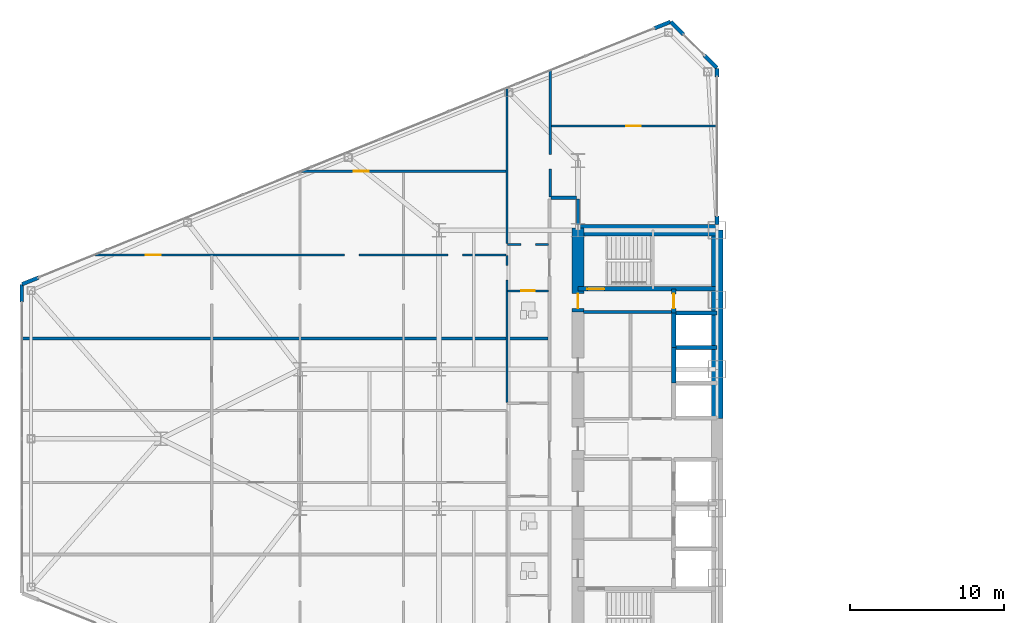
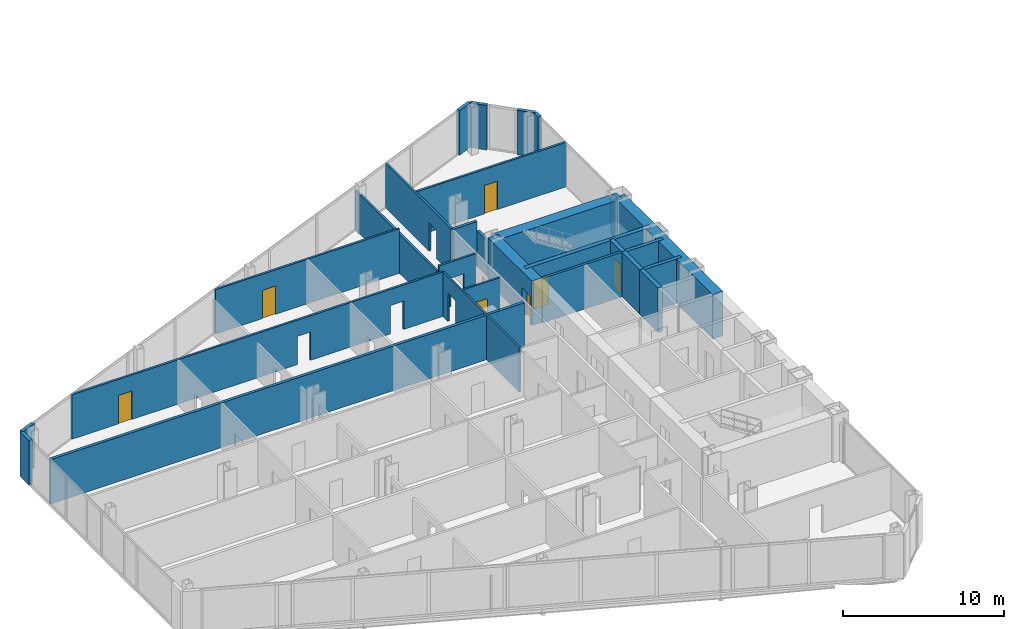
# One storey, part 19 of 25: 28 walls, 7 doors, 12 openings.
"""IFC4 building model written with IfcOpenShell, lengths in metres."""

from ifc_helpers import new_model, si_unit, direction, frame, frame_2d, origin, place, context, subcontext, project, spatial, rectangle, extrude, source, transform, mapped, material, layer, layer_set, type_object, type_shapes, element, fill, save


model = new_model("IFC4")

# Units and contexts
model_context = context("Model", 3, precision=1e-05, world=origin(), true_north=direction((0.0, 1.0)))
body_context = subcontext(model_context, "Body", "Model", "MODEL_VIEW")
ifc_project = project(units=[si_unit("LENGTHUNIT", "METRE"), si_unit("AREAUNIT", "SQUARE_METRE"), si_unit("VOLUMEUNIT", "CUBIC_METRE"), si_unit("PLANEANGLEUNIT", "RADIAN"), si_unit("MASSUNIT", "GRAM", prefix="KILO")], contexts=[model_context])

# Site, building, storey
site_placement = place(None, origin())
site = spatial("IfcSite", under=ifc_project, at=site_placement, CompositionType="ELEMENT")
building_placement = place(site_placement, origin())
building = spatial("IfcBuilding", under=site, at=building_placement, Name="Seokmaru Belvedere", CompositionType="ELEMENT")
storey_placement = place(building_placement, frame((0.0, 0.0, 22.5)))
storey = spatial("IfcBuildingStorey", under=building, at=storey_placement, Name="L05", CompositionType="ELEMENT", Elevation=22.5)

# Wall, openings, door
ifc_material_1 = material(Name="Fire-Rated Gypsum Shaftwall")
ifc_layer_1 = layer(ifc_material_1, 0.14990234375)
ifc_layer_set_1 = layer_set([ifc_layer_1], Name="Fire-Rated Gypsum Shaftwall")
wall_type_1 = type_object("IfcWallType", Name="Apartment Fire-Acoustic Room Partition 150", PredefinedType="PARTITIONING", material=ifc_layer_set_1)
wall_1_placement = place(storey_placement, frame((-67.8330078125, 11.89990234375, 0.0), z_axis=(0.0, 0.0, 1.0), x_axis=(1.0, 0.0, 0.0)))
wall_1 = element("IfcWall", 1, at=wall_1_placement, inside=storey, type_object=wall_type_1, Name="L05 Interior Partition 029", PredefinedType="PARTITIONING", context=body_context, shape_type="SweptSolid", body=[
    extrude(rectangle(XDim=26.68310546875, YDim=0.14990234375, at=frame_2d((13.341552734375, 0.0))), origin(), (0.0, 0.0, 1.0), 3.3798828125),
])
opening_1_placement = place(wall_1_placement, frame((22.907958984375, 0.0, 0.0)))
element("IfcOpeningElement", 2, at=opening_1_placement, cuts=wall_1, Name="L05 Cased Opening 034", PredefinedType="OPENING", context=body_context, shape_type="SweptSolid", body=[
    extrude(rectangle(XDim=0.949951171875, YDim=2.14990234375, at=frame_2d((0.47509765625, 1.074951171875))), frame((0.0, 0.0849609375, 0.0), z_axis=(0.0, -1.0, 0.0), x_axis=(1.0, 0.0, 0.0)), (0.0, 0.0, 1.0), 0.169921875),
])
opening_2_placement = place(wall_1_placement, frame((3.35888671875, 0.0, 0.0)))
opening_2 = element("IfcOpeningElement", 3, at=opening_2_placement, cuts=wall_1, Name="Opening D05", PredefinedType="OPENING", context=body_context, shape_type="SweptSolid", body=[
    extrude(rectangle(XDim=0.949951171875, YDim=2.14990234375, at=frame_2d((0.47509765625, 1.074951171875))), frame((0.0, 0.0849609375, 0.0), z_axis=(0.0, -1.0, 0.0), x_axis=(1.0, 0.0, 0.0)), (0.0, 0.0, 1.0), 0.169921875),
])
opening_3_placement = place(wall_1_placement, frame((16.2080078125, 0.0, 0.0)))
element("IfcOpeningElement", 4, at=opening_3_placement, cuts=wall_1, Name="L05 Cased Opening 038", PredefinedType="OPENING", context=body_context, shape_type="SweptSolid", body=[
    extrude(rectangle(XDim=0.949951171875, YDim=2.14990234375, at=frame_2d((0.47509765625, 1.074951171875))), frame((0.0, 0.0849609375, 0.0), z_axis=(0.0, -1.0, 0.0), x_axis=(1.0, 0.0, 0.0)), (0.0, 0.0, 1.0), 0.169921875),
])
ifc_material_2 = material(Name="Engineered White Oak Timber", Category="wood")
door_type_1 = type_object("IfcDoorType", Name="Apartment Interior Fire-Rated Oak Door 950x2150", OperationType="NOTDEFINED", PredefinedType="DOOR", material=ifc_material_2)
shared_shape_1 = source(origin(), body_context, "Body", "SweptSolid", [
    extrude(rectangle(XDim=0.949951171875, YDim=2.14990234375, at=frame_2d((0.47509765625, 1.074951171875))), frame((0.0, 0.02490234375, 0.0), z_axis=(0.0, -1.0, 0.0), x_axis=(1.0, 0.0, 0.0)), (0.0, 0.0, 1.0), 0.050048828125),
])
type_shapes(door_type_1, [shared_shape_1])
door_1_placement = place(opening_2_placement, origin())
door_1 = element("IfcDoor", 5, at=door_1_placement, inside=storey, type_object=door_type_1, Name="L05 Interior Door 037", OperationType="SINGLE_SWING_LEFT", OverallHeight=2.14990234375, OverallWidth=0.949951171875, PredefinedType="DOOR", context=body_context, shape_type="MappedRepresentation", body=[
    mapped(shared_shape_1, transform((0.0, 0.0, 0.0), scale=1.0)),
])
fill(opening_2, door_1)

# Wall, opening
wall_2_placement = place(storey_placement, frame((-41.050048828125, 12.580078125, 0.0), z_axis=(0.0, 0.0, 1.0), x_axis=(1.0, 0.0, 0.0)))
wall_2 = element("IfcWall", 6, at=wall_2_placement, inside=storey, type_object=wall_type_1, Name="L05 Interior Partition 030", PredefinedType="PARTITIONING", context=body_context, shape_type="SweptSolid", body=[
    extrude(rectangle(XDim=2.650146484375, YDim=0.14990234375, at=frame_2d((1.3251953125, 0.0))), origin(), (0.0, 0.0, 1.0), 3.3798828125),
])
opening_4_placement = place(wall_2_placement, frame((0.85009765625, 0.0, 0.0)))
element("IfcOpeningElement", 7, at=opening_4_placement, cuts=wall_2, Name="L05 Cased Opening 031", PredefinedType="OPENING", context=body_context, shape_type="SweptSolid", body=[
    extrude(rectangle(XDim=0.949951171875, YDim=2.14990234375, at=frame_2d((0.47509765625, 1.074951171875))), frame((0.0, 0.0849609375, 0.0), z_axis=(0.0, -1.0, 0.0), x_axis=(1.0, 0.0, 0.0)), (0.0, 0.0, 1.0), 0.169921875),
])

# Wall, opening, door
wall_3_placement = place(storey_placement, frame((-54.39892578125, 17.31005859375, 0.0), z_axis=(0.0, 0.0, 1.0), x_axis=(1.0, 0.0, 0.0)))
wall_3 = element("IfcWall", 8, at=wall_3_placement, inside=storey, type_object=wall_type_1, Name="L05 Interior Partition 034", PredefinedType="PARTITIONING", context=body_context, shape_type="SweptSolid", body=[
    extrude(rectangle(XDim=13.2490234375, YDim=0.14990234375, at=frame_2d((6.62451171875, 0.0))), origin(), (0.0, 0.0, 1.0), 3.3798828125),
])
opening_5_placement = place(wall_3_placement, frame((3.386962890625, 0.0, 0.0)))
opening_5 = element("IfcOpeningElement", 9, at=opening_5_placement, cuts=wall_3, Name="Opening D05", PredefinedType="OPENING", context=body_context, shape_type="SweptSolid", body=[
    extrude(rectangle(XDim=0.949951171875, YDim=2.14990234375, at=frame_2d((0.47509765625, 1.074951171875))), frame((0.0, 0.0849609375, 0.0), z_axis=(0.0, -1.0, 0.0), x_axis=(1.0, 0.0, 0.0)), (0.0, 0.0, 1.0), 0.169921875),
])
door_2_placement = place(opening_5_placement, origin())
door_2 = element("IfcDoor", 10, at=door_2_placement, inside=storey, type_object=door_type_1, Name="L05 Interior Door 039", OperationType="SINGLE_SWING_LEFT", OverallHeight=2.14990234375, OverallWidth=0.949951171875, PredefinedType="DOOR", context=body_context, shape_type="MappedRepresentation", body=[
    mapped(shared_shape_1, transform((0.0, 0.0, 0.0), scale=1.0)),
])
fill(opening_5, door_2)

wall_4_placement = place(storey_placement, frame((-38.25, 20.25, 0.0), z_axis=(0.0, 0.0, 1.0), x_axis=(1.0, 0.0, 0.0)))
wall_4 = element("IfcWall", 11, at=wall_4_placement, inside=storey, type_object=wall_type_1, Name="L05 Interior Partition 036", PredefinedType="PARTITIONING", context=body_context, shape_type="SweptSolid", body=[
    extrude(rectangle(XDim=10.784912109375, YDim=0.14990234375, at=frame_2d((5.392578125, 0.0))), origin(), (0.0, 0.0, 1.0), 3.3798828125),
])
opening_6_placement = place(wall_4_placement, frame((4.875, 0.0, 0.0)))
opening_6 = element("IfcOpeningElement", 12, at=opening_6_placement, cuts=wall_4, Name="Opening D05", PredefinedType="OPENING", context=body_context, shape_type="SweptSolid", body=[
    extrude(rectangle(XDim=0.949951171875, YDim=2.14990234375, at=frame_2d((0.47509765625, 1.074951171875))), frame((0.0, 0.0849609375, 0.0), z_axis=(0.0, -1.0, 0.0), x_axis=(1.0, 0.0, 0.0)), (0.0, 0.0, 1.0), 0.169921875),
])
door_3_placement = place(opening_6_placement, origin())
door_3 = element("IfcDoor", 13, at=door_3_placement, inside=storey, type_object=door_type_1, Name="L05 Interior Door 041", OperationType="SINGLE_SWING_RIGHT", OverallHeight=2.14990234375, OverallWidth=0.949951171875, PredefinedType="DOOR", context=body_context, shape_type="MappedRepresentation", body=[
    mapped(shared_shape_1, transform((0.0, 0.0, 0.0), scale=1.0)),
])
fill(opening_6, door_3)

# Wall
wall_5_placement = place(storey_placement, frame((-41.10009765625, 12.6279296875, 0.0), z_axis=(0.0, 0.0, 1.0), x_axis=(0.0, 1.0, 0.0)))
element("IfcWall", 14, at=wall_5_placement, inside=storey, type_object=wall_type_1, Name="L05 Interior Partition 044", PredefinedType="PARTITIONING", context=body_context, shape_type="SweptSolid", body=[
    extrude(rectangle(XDim=10.115966796875, YDim=0.14990234375, at=frame_2d((5.05810546875, 0.0))), origin(), (0.0, 0.0, 1.0), 2.989990234375),
])

# Wall, opening
wall_6_placement = place(storey_placement, frame((-38.300048828125, 15.64990234375, 0.0), z_axis=(0.0, 0.0, 1.0), x_axis=(0.0, 1.0, 0.0)))
wall_6 = element("IfcWall", 15, at=wall_6_placement, inside=storey, type_object=wall_type_1, Name="L05 Interior Partition 047", PredefinedType="PARTITIONING", context=body_context, shape_type="SweptSolid", body=[
    extrude(rectangle(XDim=8.22802734375, YDim=0.14990234375, at=frame_2d((4.114013671875, 0.0))), origin(), (0.0, 0.0, 1.0), 3.3798828125),
])
opening_7_placement = place(wall_6_placement, frame((1.800048828125, 0.0, 0.0)))
element("IfcOpeningElement", 16, at=opening_7_placement, cuts=wall_6, Name="L05 Cased Opening 040", PredefinedType="OPENING", context=body_context, shape_type="SweptSolid", body=[
    extrude(rectangle(XDim=0.949951171875, YDim=2.14990234375, at=frame_2d((0.47509765625, 1.074951171875))), frame((0.0, 0.0849609375, 0.0), z_axis=(0.0, -1.0, 0.0), x_axis=(1.0, 0.0, 0.0)), (0.0, 0.0, 1.0), 0.169921875),
])

# Walls
ifc_layer_2 = layer(ifc_material_1, 0.179931640625)
ifc_layer_set_2 = layer_set([ifc_layer_2], Name="Fire-Rated Gypsum Shaftwall")
wall_type_2 = type_object("IfcWallType", Name="Core Service Fire Partition 180", PredefinedType="PARTITIONING", material=ifc_layer_set_2)
wall_7_placement = place(storey_placement, frame((-36.14990234375, 8.199951171875, 0.0), z_axis=(0.0, 0.0, 1.0), x_axis=(1.0, 0.0, 0.0)))
element("IfcWall", 17, at=wall_7_placement, inside=storey, type_object=wall_type_2, Name="L05 West Smokeproof Vestibule Partition", PredefinedType="PARTITIONING", context=body_context, shape_type="SweptSolid", body=[
    extrude(rectangle(XDim=5.699951171875, YDim=0.179931640625, at=frame_2d((2.85009765625, 0.0))), origin(), (0.0, 0.0, 1.0), 3.3798828125),
])
ifc_material_3 = material(Name="Concrete C50 (50 MPa)", Category="concrete")
ifc_layer_3 = layer(ifc_material_3, 0.25)
ifc_layer_set_3 = layer_set([ifc_layer_3], Name="Concrete C50 (50 MPa)")
wall_type_3 = type_object("IfcWallType", Name="Hoistway Transverse Concrete Divider Wall 250", PredefinedType="SHEAR", material=ifc_layer_set_3)
for number, where, z_axis, x_axis, name in (
    (18, (-30.300048828125, 5.89990234375, 0.0), (0.0, 0.0, 1.0), (1.0, 0.0, 0.0), "L05 West Hoistway Divider Core Wall 6"),
    (19, (-30.300048828125, 8.14990234375, 0.0), (0.0, 0.0, 1.0), (1.0, 0.0, 0.0), "L05 West Hoistway Divider Core Wall 7"),
):
    element("IfcWall", number, at=place(storey_placement, frame(where, z_axis=z_axis, x_axis=x_axis)), inside=storey, type_object=wall_type_3, Name=name, PredefinedType="SHEAR", context=body_context, shape_type="SweptSolid", body=[
        extrude(rectangle(XDim=2.800048828125, YDim=0.25, at=frame_2d((1.39990234375, 0.0))), origin(), (0.0, 0.0, 1.0), 3.3798828125),
    ])
ifc_layer_4 = layer(ifc_material_1, 0.199951171875)
ifc_layer_set_4 = layer_set([ifc_layer_4], Name="Fire-Rated Gypsum Shaftwall")
wall_type_4 = type_object("IfcWallType", Name="Inter-Tenancy Fire Compartment Partition 200", PredefinedType="PARTITIONING", material=ifc_layer_set_4)
wall_8_placement = place(storey_placement, frame((-72.5048828125, 6.5, 0.0), z_axis=(0.0, 0.0, 1.0), x_axis=(1.0, 0.0, 0.0)))
element("IfcWall", 20, at=wall_8_placement, inside=storey, type_object=wall_type_4, Name="L05 Interior Partition 024", PredefinedType="PARTITIONING", context=body_context, shape_type="SweptSolid", body=[
    extrude(rectangle(XDim=34.074951171875, YDim=0.199951171875, at=frame_2d((17.03759765625, 0.0))), origin(), (0.0, 0.0, 1.0), 3.3798828125),
])
wall_9_placement = place(storey_placement, frame((-38.264892578125, 15.60009765625, 0.0), z_axis=(0.0, 0.0, 1.0), x_axis=(1.0, 0.0, 0.0)))
element("IfcWall", 21, at=wall_9_placement, inside=storey, type_object=wall_type_4, Name="L05 Interior Partition 031", PredefinedType="PARTITIONING", context=body_context, shape_type="SweptSolid", body=[
    extrude(rectangle(XDim=1.679931640625, YDim=0.199951171875, at=frame_2d((0.83984375, 0.0))), origin(), (0.0, 0.0, 1.0), 3.3798828125),
])
wall_10_placement = place(storey_placement, frame((-36.5, 13.8798828125, 0.0), z_axis=(0.0, 0.0, 1.0), x_axis=(0.0, 1.0, 0.0)))
element("IfcWall", 22, at=wall_10_placement, inside=storey, type_object=wall_type_4, Name="L05 Interior Partition 049", PredefinedType="PARTITIONING", context=body_context, shape_type="SweptSolid", body=[
    extrude(rectangle(XDim=1.635009765625, YDim=0.199951171875, at=frame_2d((0.8173828125, 0.0))), origin(), (0.0, 0.0, 1.0), 2.679931640625),
])

# Wall, opening, door
ifc_layer_5 = layer(ifc_material_3, 0.300048828125)
ifc_layer_set_5 = layer_set([ifc_layer_5], Name="Concrete C50 (50 MPa)")
wall_type_5 = type_object("IfcWallType", Name="Internal Core Stair and Hoistway Wall 300", PredefinedType="SHEAR", material=ifc_layer_set_5)
wall_11_placement = place(storey_placement, frame((-36.5, 9.699951171875, 0.0), z_axis=(0.0, 0.0, 1.0), x_axis=(1.0, 0.0, 0.0)))
wall_11 = element("IfcWall", 23, at=wall_11_placement, inside=storey, type_object=wall_type_5, Name="L05 West Stair ST-2 Enclosure Wall", PredefinedType="SHEAR", context=body_context, shape_type="SweptSolid", body=[
    extrude(rectangle(XDim=9.0, YDim=0.300048828125, at=frame_2d((4.5, 0.0))), origin(), (0.0, 0.0, 1.0), 3.3798828125),
])
opening_8_placement = place(wall_11_placement, frame((0.60009765625, 0.0, 0.0)))
opening_8 = element("IfcOpeningElement", 24, at=opening_8_placement, cuts=wall_11, Name="Opening D01", PredefinedType="OPENING", context=body_context, shape_type="SweptSolid", body=[
    extrude(rectangle(XDim=1.10009765625, YDim=2.199951171875, at=frame_2d((0.550048828125, 1.10009765625))), frame((0.0, 0.16015625, 0.0), z_axis=(0.0, -1.0, 0.0), x_axis=(1.0, 0.0, 0.0)), (0.0, 0.0, 1.0), 0.320068359375),
])
ifc_material_4 = material(Name="Fire-Rated Steel Leaf", Category="steel")
door_type_2 = type_object("IfcDoorType", Name="Special Escape Stair Smokeproof Fire Door 1100x2200", OperationType="NOTDEFINED", PredefinedType="DOOR", material=ifc_material_4)
shared_shape_2 = source(origin(), body_context, "Body", "SweptSolid", [
    extrude(rectangle(XDim=1.10009765625, YDim=2.199951171875, at=frame_2d((0.550048828125, 1.10009765625))), frame((0.0, 0.02490234375, 0.0), z_axis=(0.0, -1.0, 0.0), x_axis=(1.0, 0.0, 0.0)), (0.0, 0.0, 1.0), 0.050048828125),
])
type_shapes(door_type_2, [shared_shape_2])
door_4_placement = place(opening_8_placement, origin())
door_4 = element("IfcDoor", 25, at=door_4_placement, inside=storey, type_object=door_type_2, Name="L05 West Special Escape Stair ST-2 Door", OperationType="SINGLE_SWING_RIGHT", OverallHeight=2.199951171875, OverallWidth=1.10009765625, PredefinedType="DOOR", context=body_context, shape_type="MappedRepresentation", body=[
    mapped(shared_shape_2, transform((0.0, 0.0, 0.0), scale=1.0)),
])
fill(opening_8, door_4)

# Walls
wall_12_placement = place(storey_placement, frame((-30.300048828125, 3.60009765625, 0.0), z_axis=(0.0, 0.0, 1.0), x_axis=(0.0, 1.0, 0.0)))
element("IfcWall", 26, at=wall_12_placement, inside=storey, type_object=wall_type_5, Name="L05 West North Hoistway Wall PH2", PredefinedType="SHEAR", context=body_context, shape_type="SweptSolid", body=[
    extrude(rectangle(XDim=2.2998046875, YDim=0.300048828125, at=frame_2d((1.14990234375, 0.0))), origin(), (0.0, 0.0, 1.0), 3.3798828125),
])
wall_13_placement = place(storey_placement, frame((-30.300048828125, 5.89990234375, 0.0), z_axis=(0.0, 0.0, 1.0), x_axis=(0.0, 1.0, 0.0)))
element("IfcWall", 27, at=wall_13_placement, inside=storey, type_object=wall_type_5, Name="L05 West North Hoistway Wall OBS", PredefinedType="SHEAR", context=body_context, shape_type="SweptSolid", body=[
    extrude(rectangle(XDim=2.25, YDim=0.300048828125, at=frame_2d((1.125, 0.0))), origin(), (0.0, 0.0, 1.0), 3.3798828125),
])

# Wall, opening, door
wall_14_placement = place(storey_placement, frame((-30.300048828125, 8.14990234375, 0.0), z_axis=(0.0, 0.0, 1.0), x_axis=(0.0, 1.0, 0.0)))
wall_14 = element("IfcWall", 28, at=wall_14_placement, inside=storey, type_object=wall_type_5, Name="L05 West Electrical Riser Front Wall", PredefinedType="SHEAR", context=body_context, shape_type="SweptSolid", body=[
    extrude(rectangle(XDim=1.530029296875, YDim=0.300048828125, at=frame_2d((0.76513671875, 0.0))), origin(), (0.0, 0.0, 1.0), 3.3798828125),
])
opening_9_placement = place(wall_14_placement, frame((0.284912109375, 0.0, 0.0)))
opening_9 = element("IfcOpeningElement", 29, at=opening_9_placement, cuts=wall_14, Name="Opening D04", PredefinedType="OPENING", context=body_context, shape_type="SweptSolid", body=[
    extrude(rectangle(XDim=0.949951171875, YDim=2.14990234375, at=frame_2d((0.47509765625, 1.074951171875))), frame((0.0, 0.16015625, 0.0), z_axis=(0.0, -1.0, 0.0), x_axis=(1.0, 0.0, 0.0)), (0.0, 0.0, 1.0), 0.320068359375),
])
door_type_3 = type_object("IfcDoorType", Name="Core Service Room Fire Door 950x2150", OperationType="NOTDEFINED", PredefinedType="DOOR", material=ifc_material_4)
shared_shape_3 = source(origin(), body_context, "Body", "SweptSolid", [
    extrude(rectangle(XDim=0.949951171875, YDim=2.14990234375, at=frame_2d((0.47509765625, 1.074951171875))), frame((0.0, 0.02490234375, 0.0), z_axis=(0.0, -1.0, 0.0), x_axis=(1.0, 0.0, 0.0)), (0.0, 0.0, 1.0), 0.050048828125),
])
type_shapes(door_type_3, [shared_shape_3])
door_5_placement = place(opening_9_placement, origin())
door_5 = element("IfcDoor", 30, at=door_5_placement, inside=storey, type_object=door_type_3, Name="L05 West Electrical Riser Access Door", OperationType="SINGLE_SWING_LEFT", OverallHeight=2.14990234375, OverallWidth=0.949951171875, PredefinedType="DOOR", context=body_context, shape_type="MappedRepresentation", body=[
    mapped(shared_shape_3, transform((0.0, 0.0, 0.0), scale=1.0)),
])
fill(opening_9, door_5)

# Walls
ifc_material_5 = material(Name="Concrete C60 (60 MPa)", Category="concrete")
ifc_layer_6 = layer(ifc_material_5, 0.75)
ifc_layer_set_6 = layer_set([ifc_layer_6], Name="Concrete C60 (60 MPa)")
wall_type_6 = type_object("IfcWallType", Name="Lower Tower Reinforced Concrete Core Wall 750", PredefinedType="SHEAR", material=ifc_layer_set_6)
wall_15_placement = place(storey_placement, frame((-27.5, 1.300048828125, 0.0), z_axis=(0.0, 0.0, 1.0), x_axis=(0.0, 1.0, 0.0)))
element("IfcWall", 31, at=wall_15_placement, inside=storey, type_object=wall_type_6, Name="L05 West Portal Spine Core Wall North", PredefinedType="SHEAR", context=body_context, shape_type="SweptSolid", body=[
    extrude(rectangle(XDim=12.199951171875, YDim=0.75, at=frame_2d((6.10009765625, 0.0))), origin(), (0.0, 0.0, 1.0), 3.3798828125),
])
wall_16_placement = place(storey_placement, frame((-36.5, 13.5, 0.0), z_axis=(0.0, 0.0, 1.0), x_axis=(1.0, 0.0, 0.0)))
element("IfcWall", 32, at=wall_16_placement, inside=storey, type_object=wall_type_6, Name="L05 West North Core Wall", PredefinedType="SHEAR", context=body_context, shape_type="SweptSolid", body=[
    extrude(rectangle(XDim=9.0, YDim=0.75, at=frame_2d((4.5, 0.0))), origin(), (0.0, 0.0, 1.0), 3.3798828125),
])

# Wall, opening, door
wall_17_placement = place(storey_placement, frame((-36.5, 8.199951171875, 0.0), z_axis=(0.0, 0.0, 1.0), x_axis=(0.0, 1.0, 0.0)))
wall_17 = element("IfcWall", 33, at=wall_17_placement, inside=storey, type_object=wall_type_6, Name="L05 West West Core Wall VST", PredefinedType="SHEAR", context=body_context, shape_type="SweptSolid", body=[
    extrude(rectangle(XDim=5.449951171875, YDim=0.75, at=frame_2d((2.72509765625, 0.0))), origin(), (0.0, 0.0, 1.0), 3.3798828125),
])
opening_10_placement = place(wall_17_placement, frame((0.2451171875, 0.0, 0.0)))
opening_10 = element("IfcOpeningElement", 34, at=opening_10_placement, cuts=wall_17, Name="Opening D04", PredefinedType="OPENING", context=body_context, shape_type="SweptSolid", body=[
    extrude(rectangle(XDim=0.949951171875, YDim=2.14990234375, at=frame_2d((0.47509765625, 1.074951171875))), frame((0.0, 0.385009765625, 0.0), z_axis=(0.0, -1.0, 0.0), x_axis=(1.0, 0.0, 0.0)), (0.0, 0.0, 1.0), 0.77001953125),
])
door_6_placement = place(opening_10_placement, frame((0.949951171875, 0.0, 0.0), z_axis=(0.0, 0.0, 1.0), x_axis=(-1.0, 0.0, 0.0)))
door_6 = element("IfcDoor", 35, at=door_6_placement, inside=storey, type_object=door_type_3, Name="L05 West Smokeproof Vestibule Door", OperationType="SINGLE_SWING_RIGHT", OverallHeight=2.14990234375, OverallWidth=0.949951171875, PredefinedType="DOOR", context=body_context, shape_type="MappedRepresentation", body=[
    mapped(shared_shape_3, transform((0.0, 0.0, 0.0), scale=1.0)),
])
fill(opening_10, door_6)

ifc_layer_7 = layer(ifc_material_1, 0.1298828125)
ifc_layer_set_7 = layer_set([ifc_layer_7], Name="Fire-Rated Gypsum Shaftwall")
wall_type_7 = type_object("IfcWallType", Name="Moisture-Resistant Fire-Rated Bathroom Partition 130", PredefinedType="PARTITIONING", material=ifc_layer_set_7)
wall_18_placement = place(storey_placement, frame((-41.050048828125, 9.580078125, 0.0), z_axis=(0.0, 0.0, 1.0), x_axis=(1.0, 0.0, 0.0)))
wall_18 = element("IfcWall", 36, at=wall_18_placement, inside=storey, type_object=wall_type_7, Name="L05 Interior Partition 026", PredefinedType="PARTITIONING", context=body_context, shape_type="SweptSolid", body=[
    extrude(rectangle(XDim=2.650146484375, YDim=0.1298828125, at=frame_2d((1.3251953125, 0.0))), origin(), (0.0, 0.0, 1.0), 3.3798828125),
])
opening_11_placement = place(wall_18_placement, frame((0.885009765625, 0.0, 0.0)))
opening_11 = element("IfcOpeningElement", 37, at=opening_11_placement, cuts=wall_18, Name="Opening D06", PredefinedType="OPENING", context=body_context, shape_type="SweptSolid", body=[
    extrude(rectangle(XDim=0.8798828125, YDim=2.10009765625, at=frame_2d((0.43994140625, 1.050048828125))), frame((0.0, 0.074951171875, 0.0), z_axis=(0.0, -1.0, 0.0), x_axis=(1.0, 0.0, 0.0)), (0.0, 0.0, 1.0), 0.14990234375),
])
door_type_4 = type_object("IfcDoorType", Name="Bathroom and Restroom Fire-Rated Door 880x2100", OperationType="NOTDEFINED", PredefinedType="DOOR", material=ifc_material_2)
shared_shape_4 = source(origin(), body_context, "Body", "SweptSolid", [
    extrude(rectangle(XDim=0.8798828125, YDim=2.10009765625, at=frame_2d((0.43994140625, 1.050048828125))), frame((0.0, 0.02490234375, 0.0), z_axis=(0.0, -1.0, 0.0), x_axis=(1.0, 0.0, 0.0)), (0.0, 0.0, 1.0), 0.050048828125),
])
type_shapes(door_type_4, [shared_shape_4])
door_7_placement = place(opening_11_placement, origin())
door_7 = element("IfcDoor", 38, at=door_7_placement, inside=storey, type_object=door_type_4, Name="L05 Interior Door 030", OperationType="SINGLE_SWING_LEFT", OverallHeight=2.10009765625, OverallWidth=0.8798828125, PredefinedType="DOOR", context=body_context, shape_type="MappedRepresentation", body=[
    mapped(shared_shape_4, transform((0.0, 0.0, 0.0), scale=1.0)),
])
fill(opening_11, door_7)

# Wall, opening
wall_19_placement = place(storey_placement, frame((-41.10009765625, 2.35205078125, 0.0), z_axis=(0.0, 0.0, 1.0), x_axis=(0.0, 1.0, 0.0)))
wall_19 = element("IfcWall", 39, at=wall_19_placement, inside=storey, type_object=wall_type_7, Name="L05 Interior Partition 043", PredefinedType="PARTITIONING", context=body_context, shape_type="SweptSolid", body=[
    extrude(rectangle(XDim=9.5009765625, YDim=0.1298828125, at=frame_2d((4.75048828125, 0.0))), origin(), (0.0, 0.0, 1.0), 3.3798828125),
])
opening_12_placement = place(wall_19_placement, frame((7.913330078125, 0.0, 0.0)))
element("IfcOpeningElement", 40, at=opening_12_placement, cuts=wall_19, Name="L05 Cased Opening 032", PredefinedType="OPENING", context=body_context, shape_type="SweptSolid", body=[
    extrude(rectangle(XDim=0.949951171875, YDim=2.14990234375, at=frame_2d((0.47509765625, 1.074951171875))), frame((0.0, 0.074951171875, 0.0), z_axis=(0.0, -1.0, 0.0), x_axis=(1.0, 0.0, 0.0)), (0.0, 0.0, 1.0), 0.14990234375),
])

# Walls
ifc_material_6 = material(Name="Anodised Bronze Aluminium", Category="aluminium")
ifc_layer_8 = layer(ifc_material_6, 0.239990234375)
ifc_layer_set_8 = layer_set([ifc_layer_8], Name="Anodised Bronze Aluminium")
wall_type_8 = type_object("IfcWallType", Name="Tower Corner Spandrel Closure Wall 240", PredefinedType="SOLIDWALL", material=ifc_layer_set_8)
wall_20_placement = place(storey_placement, frame((-27.5, 13.8798828125, 0.0), z_axis=(0.0, 0.0, 1.0), x_axis=(0.0, 1.0, 0.0)))
element("IfcWall", 41, at=wall_20_placement, inside=storey, type_object=wall_type_8, Name="L05 W Spine Closure Pier 2A", PredefinedType="SOLIDWALL", context=body_context, shape_type="SweptSolid", body=[
    extrude(rectangle(XDim=0.550048828125, YDim=0.239990234375, at=frame_2d((0.27490234375, 0.0))), origin(), (0.0, 0.0, 1.0), 2.8798828125),
])
wall_21_placement = place(storey_placement, frame((-27.5, 23.429931640625, 0.0), z_axis=(0.0, 0.0, 1.0), x_axis=(0.0, 1.0, 0.0)))
element("IfcWall", 42, at=wall_21_placement, inside=storey, type_object=wall_type_8, Name="L05 W Spine Closure Pier 2B", PredefinedType="SOLIDWALL", context=body_context, shape_type="SweptSolid", body=[
    extrude(rectangle(XDim=0.550048828125, YDim=0.239990234375, at=frame_2d((0.27490234375, 0.0))), origin(), (0.0, 0.0, 1.0), 3.3798828125),
])
for number, where, z_axis, x_axis, name in (
    (43, (-27.507080078125, 24.007080078125, 0.0), (0.0, 0.0, 1.0), (-0.707106781187, 0.707106781187, 0.0), "L05 W Corner Closure Pier 2A"),
    (44, (-29.686767578125, 26.186767578125, 0.0), (0.0, 0.0, 1.0), (-0.707106781187, 0.707106781187, 0.0), "L05 W Corner Closure Pier 2B"),
):
    element("IfcWall", number, at=place(storey_placement, frame(where, z_axis=z_axis, x_axis=x_axis)), inside=storey, type_object=wall_type_8, Name=name, PredefinedType="SOLIDWALL", context=body_context, shape_type="SweptSolid", body=[
        extrude(rectangle(XDim=1.14013671875, YDim=0.239990234375, at=frame_2d((0.570068359375, 0.0))), origin(), (0.0, 0.0, 1.0), 3.3798828125),
    ])
for number, where, z_axis, x_axis, name in (
    (45, (-30.50927734375, 26.99609375, 0.0), (0.0, 0.0, 1.0), (-0.927007103665, -0.375043770452, 0.0), "L05 W Corner Closure Pier 3A"),
    (46, (-71.43408203125, 10.431396484375, 0.0), (0.0, 0.0, 1.0), (-0.927007103665, -0.375043770452, 0.0), "L05 W Corner Closure Pier 3B"),
    (47, (-72.5, 9.989990234375, 0.0), (0.0, 0.0, 1.0), (0.0, -1.0, 0.0), "L05 W Corner Closure Pier 4A"),
):
    element("IfcWall", number, at=place(storey_placement, frame(where, z_axis=z_axis, x_axis=x_axis)), inside=storey, type_object=wall_type_8, Name=name, PredefinedType="SOLIDWALL", context=body_context, shape_type="SweptSolid", body=[
        extrude(rectangle(XDim=1.139892578125, YDim=0.239990234375, at=frame_2d((0.56982421875, 0.0))), origin(), (0.0, 0.0, 1.0), 3.3798828125),
    ])

save(model, "model.ifc")
